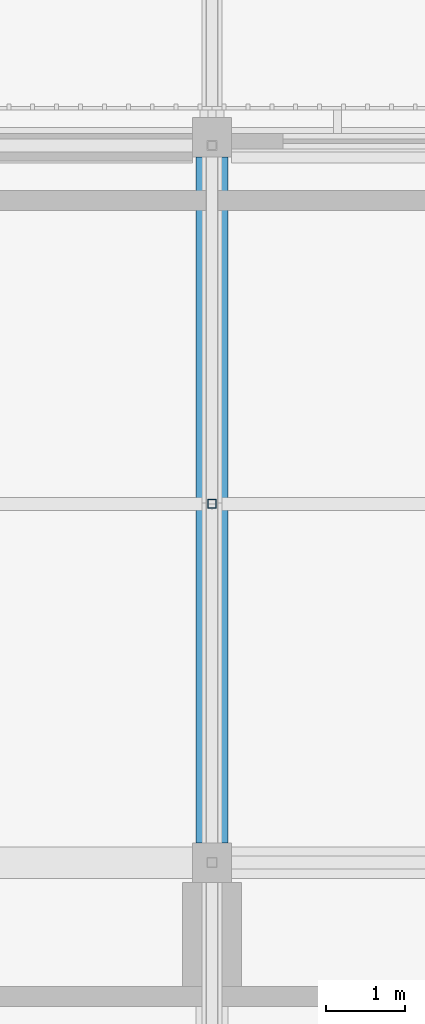
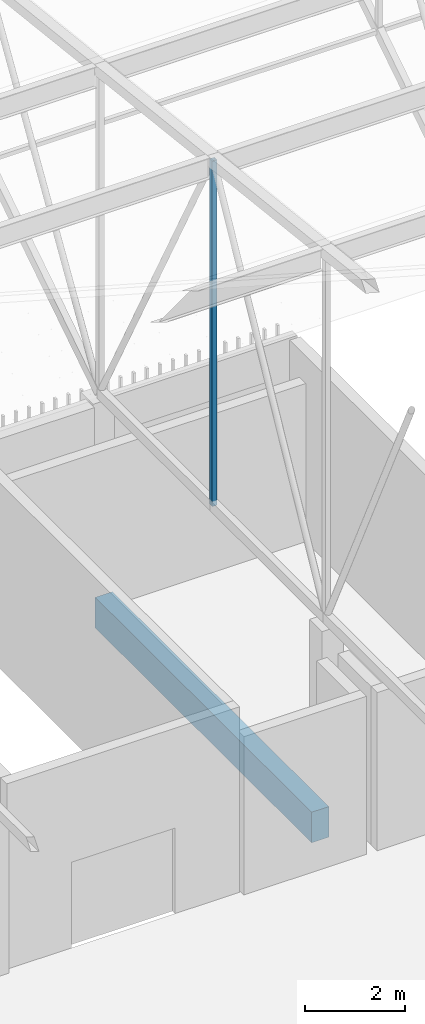
# One storey, part 246 of 500: 1 beam, 1 member.
"""IFC4 building model written with IfcOpenShell, lengths in metres."""

from ifc_helpers import new_model, si_unit, direction, frame, origin, origin_2d, place, context, subcontext, project, spatial, rectangle, hollow_rectangle, extrude, material, material_profile, profile_set, type_object, element, save


model = new_model("IFC4")

# Units and contexts
model_context = context("Model", 3, precision=1e-05, world=origin(), true_north=direction((0.0, 1.0)))
body_context = subcontext(model_context, "Body", "Model", "MODEL_VIEW")
ifc_project = project(units=[si_unit("LENGTHUNIT", "METRE"), si_unit("AREAUNIT", "SQUARE_METRE"), si_unit("VOLUMEUNIT", "CUBIC_METRE"), si_unit("PLANEANGLEUNIT", "RADIAN"), si_unit("MASSUNIT", "GRAM", prefix="KILO")], contexts=[model_context])

# Site, building, storey
site_placement = place(None, origin())
site = spatial("IfcSite", under=ifc_project, at=site_placement, CompositionType="ELEMENT")
building_placement = place(site_placement, origin())
building = spatial("IfcBuilding", under=site, at=building_placement, Name="Shirokan Park Arena", CompositionType="ELEMENT")
storey_placement = place(building_placement, frame((0.0, 0.0, 29.1201171875)))
storey = spatial("IfcBuildingStorey", under=building, at=storey_placement, Name="L06", CompositionType="ELEMENT", Elevation=29.1201171875)

# Beam
ifc_material_1 = material(Name="Concrete C35", Category="concrete")
ifc_material_profile_1 = material_profile(ifc_material_1, rectangle(XDim=0.39990234375, YDim=0.75, at=origin_2d()), Name="400x750")
ifc_profile_set_1 = profile_set([ifc_material_profile_1], Name="Concrete C35")
beam_type = type_object("IfcBeamType", Name="RC girder 400x750", PredefinedType="BEAM", material=ifc_profile_set_1)
beam_placement = place(storey_placement, frame((36.39990234375, 100.35009765625, -0.5751953125), z_axis=(0.0, 1.0, 0.0), x_axis=(-1.0, 0.0, 0.0)))
element("IfcBeam", 1, at=beam_placement, inside=storey, type_object=beam_type, Name="Girder 5M-5N L06", PredefinedType="BEAM", context=body_context, shape_type="SweptSolid", body=[
    extrude(rectangle(XDim=0.39990234375, YDim=0.75, at=origin_2d()), origin(), (0.0, 0.0, 1.0), 8.69970703125),
])

# Member
ifc_material_2 = material(Name="Steel ASTM A500 Grade C", Category="steel")
ifc_material_profile_2 = material_profile(ifc_material_2, hollow_rectangle(XDim=0.114013671875, YDim=0.114013671875, WallThickness=0.00634765625, at=origin_2d()), Name="HSS114.3X114.3X6.4")
ifc_profile_set_2 = profile_set([ifc_material_profile_2], Name="Steel ASTM A500 Grade C")
member_type = type_object("IfcMemberType", Name="Truss post HSS114.3X114.3X6.4", PredefinedType="POST", material=ifc_profile_set_2)
member_placement = place(storey_placement, frame((36.39990234375, 104.64990234375, 4.677001953125), z_axis=(0.0, 0.0, 1.0), x_axis=(1.0, 0.0, 0.0)))
element("IfcMember", 2, at=member_placement, inside=storey, type_object=member_type, Name="Truss T05 post 26", PredefinedType="POST", context=body_context, shape_type="SweptSolid", body=[
    extrude(hollow_rectangle(XDim=0.114013671875, YDim=0.114013671875, WallThickness=0.00634765625, at=origin_2d()), origin(), (0.0, 0.0, 1.0), 8.4658203125),
])

save(model, "model.ifc")
